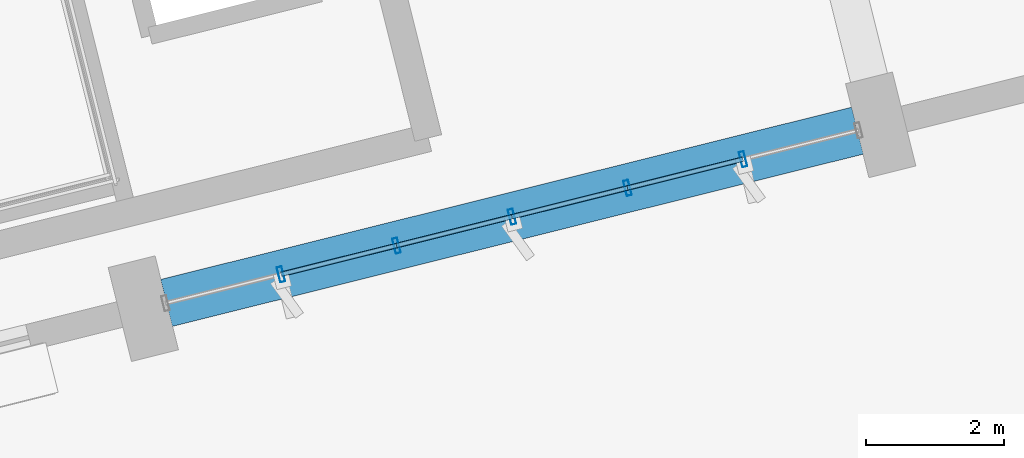
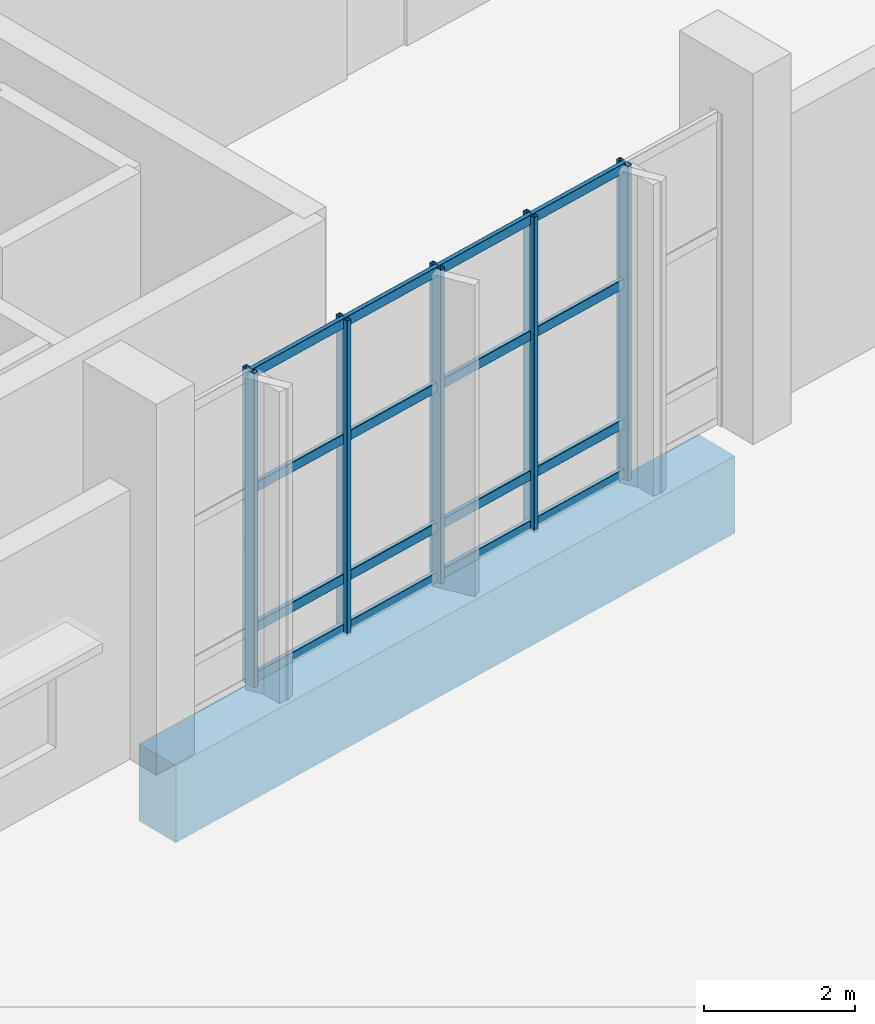
# One storey, part 87 of 163: 21 members, 1 beam, 1 element without a shape of its own.
"""IFC4 building model written with IfcOpenShell, lengths in metres."""

from ifc_helpers import new_model, si_unit, direction, frame, origin, origin_2d, place, context, subcontext, project, spatial, rectangle, hollow_rectangle, extrude, material, layer, layer_set, material_profile, profile_set, type_object, element, aggregate, save


model = new_model("IFC4")

# Units and contexts
model_context = context("Model", 3, precision=1e-05, world=origin(), true_north=direction((0.0, 1.0)))
body_context = subcontext(model_context, "Body", "Model", "MODEL_VIEW")
ifc_project = project(units=[si_unit("LENGTHUNIT", "METRE"), si_unit("AREAUNIT", "SQUARE_METRE"), si_unit("VOLUMEUNIT", "CUBIC_METRE"), si_unit("PLANEANGLEUNIT", "RADIAN"), si_unit("MASSUNIT", "GRAM", prefix="KILO")], contexts=[model_context])

# Site, building, storey
site_placement = place(None, origin())
site = spatial("IfcSite", under=ifc_project, at=site_placement, CompositionType="ELEMENT")
building_placement = place(site_placement, origin())
building = spatial("IfcBuilding", under=site, at=building_placement, Name="Khorjan Park Terminus", CompositionType="ELEMENT")
storey_placement = place(building_placement, origin())
storey = spatial("IfcBuildingStorey", under=building, at=storey_placement, Name="L00", CompositionType="ELEMENT", Elevation=0.0)

# Beam
ifc_material_1 = material(Name="Concrete C40/50", Category="concrete")
ifc_material_profile_1 = material_profile(ifc_material_1, rectangle(XDim=0.7, YDim=1.25, at=origin_2d()), Name="RC 700x1250")
ifc_profile_set_1 = profile_set([ifc_material_profile_1], Name="Concrete C40/50")
beam_type = type_object("IfcBeamType", Name="BM-RC700x1250", PredefinedType="BEAM", material=ifc_profile_set_1)
beam_placement = place(storey_placement, frame((209.0278, 12.728, -0.985), z_axis=(0.970295784153, 0.241921663468, 0.0), x_axis=(-0.241921663468, 0.970295784153, 0.0)))
element("IfcBeam", 1, at=beam_placement, inside=storey, type_object=beam_type, Name="Primary skew-grid floor girder GB-125 (L00)", PredefinedType="BEAM", context=body_context, shape_type="SweptSolid", body=[
    extrude(rectangle(XDim=0.7, YDim=1.25, at=origin_2d()), origin(), (0.0, 0.0, 1.0), 10.3099),
])

# Curtain wall, members
ifc_material_2 = material(Name="Anodized Bronze Aluminium", Category="aluminium")
ifc_layer = layer(ifc_material_2, 0.22)
ifc_layer_set = layer_set([ifc_layer], Name="Anodized Bronze Aluminium")
curtain_wall_type = type_object("IfcCurtainWallType", Name="CW-OPS-B", PredefinedType="NOTDEFINED", material=ifc_layer_set)
curtain_wall_placement = place(storey_placement, origin())
curtain_wall = element("IfcCurtainWall", 2, at=curtain_wall_placement, inside=storey, type_object=curtain_wall_type, Name="Unitized curtain wall CW-B (CW-V5-S-L00-B05)", PredefinedType="NOTDEFINED")
ifc_material_profile_2 = material_profile(ifc_material_2, hollow_rectangle(XDim=0.075, YDim=0.225, WallThickness=0.005, InnerFilletRadius=0.005, OuterFilletRadius=0.01, at=origin_2d()), Name="ALM 75x225x5")
ifc_profile_set_2 = profile_set([ifc_material_profile_2], Name="Anodized Bronze Aluminium")
member_type_1 = type_object("IfcMemberType", Name="ML-ALM-225", PredefinedType="MULLION", material=ifc_profile_set_2)
member_1_placement = place(storey_placement, frame((210.6854, 13.1414, -0.035), z_axis=(0.0, 0.0, 1.0), x_axis=(0.970298180833, 0.241912050695, 0.0)))
member_1 = element("IfcMember", 3, at=member_1_placement, type_object=member_type_1, Name="Curtain-wall mullion ML-22 (CW-V5-S-L00-B05-1)", PredefinedType="MULLION", context=body_context, shape_type="SweptSolid", body=[
    extrude(hollow_rectangle(XDim=0.075, YDim=0.225, WallThickness=0.005, InnerFilletRadius=0.005, OuterFilletRadius=0.01, at=origin_2d()), origin(), (0.0, 0.0, 1.0), 5.095),
])
member_2_placement = place(storey_placement, frame((212.3575, 13.5583, -0.035), z_axis=(0.0, 0.0, 1.0), x_axis=(0.970298180833, 0.241912050695, 0.0)))
member_2 = element("IfcMember", 4, at=member_2_placement, type_object=member_type_1, Name="Curtain-wall mullion ML-22 (CW-V5-S-L00-B05-2)", PredefinedType="MULLION", context=body_context, shape_type="SweptSolid", body=[
    extrude(hollow_rectangle(XDim=0.075, YDim=0.225, WallThickness=0.005, InnerFilletRadius=0.005, OuterFilletRadius=0.01, at=origin_2d()), origin(), (0.0, 0.0, 1.0), 5.095),
])
member_3_placement = place(storey_placement, frame((214.0296, 13.9751, -0.035), z_axis=(0.0, 0.0, 1.0), x_axis=(0.970298180833, 0.241912050695, 0.0)))
member_3 = element("IfcMember", 5, at=member_3_placement, type_object=member_type_1, Name="Curtain-wall mullion ML-22 (CW-V5-S-L00-B05-3)", PredefinedType="MULLION", context=body_context, shape_type="SweptSolid", body=[
    extrude(hollow_rectangle(XDim=0.075, YDim=0.225, WallThickness=0.005, InnerFilletRadius=0.005, OuterFilletRadius=0.01, at=origin_2d()), origin(), (0.0, 0.0, 1.0), 5.095),
])
member_4_placement = place(storey_placement, frame((215.7017, 14.392, -0.035), z_axis=(0.0, 0.0, 1.0), x_axis=(0.970298180833, 0.241912050695, 0.0)))
member_4 = element("IfcMember", 6, at=member_4_placement, type_object=member_type_1, Name="Curtain-wall mullion ML-22 (CW-V5-S-L00-B05-4)", PredefinedType="MULLION", context=body_context, shape_type="SweptSolid", body=[
    extrude(hollow_rectangle(XDim=0.075, YDim=0.225, WallThickness=0.005, InnerFilletRadius=0.005, OuterFilletRadius=0.01, at=origin_2d()), origin(), (0.0, 0.0, 1.0), 5.095),
])
member_5_placement = place(storey_placement, frame((217.3738, 14.8089, -0.035), z_axis=(0.0, 0.0, 1.0), x_axis=(0.970298180833, 0.241912050695, 0.0)))
member_5 = element("IfcMember", 7, at=member_5_placement, type_object=member_type_1, Name="Curtain-wall mullion ML-22 (CW-V5-S-L00-B05-5)", PredefinedType="MULLION", context=body_context, shape_type="SweptSolid", body=[
    extrude(hollow_rectangle(XDim=0.075, YDim=0.225, WallThickness=0.005, InnerFilletRadius=0.005, OuterFilletRadius=0.01, at=origin_2d()), origin(), (0.0, 0.0, 1.0), 5.095),
])
ifc_material_profile_3 = material_profile(ifc_material_2, hollow_rectangle(XDim=0.07, YDim=0.16, WallThickness=0.004, InnerFilletRadius=0.004, OuterFilletRadius=0.008, at=origin_2d()), Name="ALT 70x160x4")
ifc_profile_set_3 = profile_set([ifc_material_profile_3], Name="Anodized Bronze Aluminium")
member_type_2 = type_object("IfcMemberType", Name="TR-ALT-160", PredefinedType="USERDEFINED", material=ifc_profile_set_3)
member_6_placement = place(storey_placement, frame((210.6854, 13.1414, 0.04), z_axis=(0.970295910649, 0.241921156121, 0.0), x_axis=(-0.241921156121, 0.970295910649, 0.0)))
member_6 = element("IfcMember", 8, at=member_6_placement, type_object=member_type_2, Name="Curtain-wall transom TR-16 (CW-V5-S-L00-B05-1-1)", ObjectType="TRANSOM", PredefinedType="USERDEFINED", context=body_context, shape_type="SweptSolid", body=[
    extrude(hollow_rectangle(XDim=0.07, YDim=0.16, WallThickness=0.004, InnerFilletRadius=0.004, OuterFilletRadius=0.008, at=origin_2d()), origin(), (0.0, 0.0, 1.0), 1.7233),
])
member_7_placement = place(storey_placement, frame((210.6854, 13.1414, 0.85), z_axis=(0.970295910649, 0.241921156121, 0.0), x_axis=(-0.241921156121, 0.970295910649, 0.0)))
member_7 = element("IfcMember", 9, at=member_7_placement, type_object=member_type_2, Name="Curtain-wall transom TR-16 (CW-V5-S-L00-B05-1-2)", ObjectType="TRANSOM", PredefinedType="USERDEFINED", context=body_context, shape_type="SweptSolid", body=[
    extrude(hollow_rectangle(XDim=0.07, YDim=0.16, WallThickness=0.004, InnerFilletRadius=0.004, OuterFilletRadius=0.008, at=origin_2d()), origin(), (0.0, 0.0, 1.0), 1.7233),
])
member_8_placement = place(storey_placement, frame((210.6854, 13.1414, 3.1155), z_axis=(0.970295910649, 0.241921156121, 0.0), x_axis=(-0.241921156121, 0.970295910649, 0.0)))
member_8 = element("IfcMember", 10, at=member_8_placement, type_object=member_type_2, Name="Curtain-wall transom TR-16 (CW-V5-S-L00-B05-1-3)", ObjectType="TRANSOM", PredefinedType="USERDEFINED", context=body_context, shape_type="SweptSolid", body=[
    extrude(hollow_rectangle(XDim=0.07, YDim=0.16, WallThickness=0.004, InnerFilletRadius=0.004, OuterFilletRadius=0.008, at=origin_2d()), origin(), (0.0, 0.0, 1.0), 1.7233),
])
member_9_placement = place(storey_placement, frame((210.6854, 13.1414, 4.985), z_axis=(0.970295910649, 0.241921156121, 0.0), x_axis=(-0.241921156121, 0.970295910649, 0.0)))
member_9 = element("IfcMember", 11, at=member_9_placement, type_object=member_type_2, Name="Curtain-wall transom TR-16 (CW-V5-S-L00-B05-1-4)", ObjectType="TRANSOM", PredefinedType="USERDEFINED", context=body_context, shape_type="SweptSolid", body=[
    extrude(hollow_rectangle(XDim=0.07, YDim=0.16, WallThickness=0.004, InnerFilletRadius=0.004, OuterFilletRadius=0.008, at=origin_2d()), origin(), (0.0, 0.0, 1.0), 1.7233),
])
member_10_placement = place(storey_placement, frame((212.3575, 13.5583, 0.04), z_axis=(0.970309530647, 0.241866522561, 0.0), x_axis=(-0.241866522561, 0.970309530647, 0.0)))
member_10 = element("IfcMember", 12, at=member_10_placement, type_object=member_type_2, Name="Curtain-wall transom TR-16 (CW-V5-S-L00-B05-2-1)", ObjectType="TRANSOM", PredefinedType="USERDEFINED", context=body_context, shape_type="SweptSolid", body=[
    extrude(hollow_rectangle(XDim=0.07, YDim=0.16, WallThickness=0.004, InnerFilletRadius=0.004, OuterFilletRadius=0.008, at=origin_2d()), origin(), (0.0, 0.0, 1.0), 1.7233),
])
member_11_placement = place(storey_placement, frame((212.3575, 13.5583, 0.85), z_axis=(0.970309530647, 0.241866522561, 0.0), x_axis=(-0.241866522561, 0.970309530647, 0.0)))
member_11 = element("IfcMember", 13, at=member_11_placement, type_object=member_type_2, Name="Curtain-wall transom TR-16 (CW-V5-S-L00-B05-2-2)", ObjectType="TRANSOM", PredefinedType="USERDEFINED", context=body_context, shape_type="SweptSolid", body=[
    extrude(hollow_rectangle(XDim=0.07, YDim=0.16, WallThickness=0.004, InnerFilletRadius=0.004, OuterFilletRadius=0.008, at=origin_2d()), origin(), (0.0, 0.0, 1.0), 1.7233),
])
member_12_placement = place(storey_placement, frame((212.3575, 13.5583, 3.1155), z_axis=(0.970309530647, 0.241866522561, 0.0), x_axis=(-0.241866522561, 0.970309530647, 0.0)))
member_12 = element("IfcMember", 14, at=member_12_placement, type_object=member_type_2, Name="Curtain-wall transom TR-16 (CW-V5-S-L00-B05-2-3)", ObjectType="TRANSOM", PredefinedType="USERDEFINED", context=body_context, shape_type="SweptSolid", body=[
    extrude(hollow_rectangle(XDim=0.07, YDim=0.16, WallThickness=0.004, InnerFilletRadius=0.004, OuterFilletRadius=0.008, at=origin_2d()), origin(), (0.0, 0.0, 1.0), 1.7233),
])
member_13_placement = place(storey_placement, frame((212.3575, 13.5583, 4.985), z_axis=(0.970309530647, 0.241866522561, 0.0), x_axis=(-0.241866522561, 0.970309530647, 0.0)))
member_13 = element("IfcMember", 15, at=member_13_placement, type_object=member_type_2, Name="Curtain-wall transom TR-16 (CW-V5-S-L00-B05-2-4)", ObjectType="TRANSOM", PredefinedType="USERDEFINED", context=body_context, shape_type="SweptSolid", body=[
    extrude(hollow_rectangle(XDim=0.07, YDim=0.16, WallThickness=0.004, InnerFilletRadius=0.004, OuterFilletRadius=0.008, at=origin_2d()), origin(), (0.0, 0.0, 1.0), 1.7233),
])
member_14_placement = place(storey_placement, frame((214.0296, 13.9751, 0.04), z_axis=(0.970295910649, 0.241921156121, 0.0), x_axis=(-0.241921156121, 0.970295910649, 0.0)))
member_14 = element("IfcMember", 16, at=member_14_placement, type_object=member_type_2, Name="Curtain-wall transom TR-16 (CW-V5-S-L00-B05-3-1)", ObjectType="TRANSOM", PredefinedType="USERDEFINED", context=body_context, shape_type="SweptSolid", body=[
    extrude(hollow_rectangle(XDim=0.07, YDim=0.16, WallThickness=0.004, InnerFilletRadius=0.004, OuterFilletRadius=0.008, at=origin_2d()), origin(), (0.0, 0.0, 1.0), 1.7233),
])
member_15_placement = place(storey_placement, frame((214.0296, 13.9751, 0.85), z_axis=(0.970295910649, 0.241921156121, 0.0), x_axis=(-0.241921156121, 0.970295910649, 0.0)))
member_15 = element("IfcMember", 17, at=member_15_placement, type_object=member_type_2, Name="Curtain-wall transom TR-16 (CW-V5-S-L00-B05-3-2)", ObjectType="TRANSOM", PredefinedType="USERDEFINED", context=body_context, shape_type="SweptSolid", body=[
    extrude(hollow_rectangle(XDim=0.07, YDim=0.16, WallThickness=0.004, InnerFilletRadius=0.004, OuterFilletRadius=0.008, at=origin_2d()), origin(), (0.0, 0.0, 1.0), 1.7233),
])
member_16_placement = place(storey_placement, frame((214.0296, 13.9751, 3.1155), z_axis=(0.970295910649, 0.241921156121, 0.0), x_axis=(-0.241921156121, 0.970295910649, 0.0)))
member_16 = element("IfcMember", 18, at=member_16_placement, type_object=member_type_2, Name="Curtain-wall transom TR-16 (CW-V5-S-L00-B05-3-3)", ObjectType="TRANSOM", PredefinedType="USERDEFINED", context=body_context, shape_type="SweptSolid", body=[
    extrude(hollow_rectangle(XDim=0.07, YDim=0.16, WallThickness=0.004, InnerFilletRadius=0.004, OuterFilletRadius=0.008, at=origin_2d()), origin(), (0.0, 0.0, 1.0), 1.7233),
])
member_17_placement = place(storey_placement, frame((214.0296, 13.9751, 4.985), z_axis=(0.970295910649, 0.241921156121, 0.0), x_axis=(-0.241921156121, 0.970295910649, 0.0)))
member_17 = element("IfcMember", 19, at=member_17_placement, type_object=member_type_2, Name="Curtain-wall transom TR-16 (CW-V5-S-L00-B05-3-4)", ObjectType="TRANSOM", PredefinedType="USERDEFINED", context=body_context, shape_type="SweptSolid", body=[
    extrude(hollow_rectangle(XDim=0.07, YDim=0.16, WallThickness=0.004, InnerFilletRadius=0.004, OuterFilletRadius=0.008, at=origin_2d()), origin(), (0.0, 0.0, 1.0), 1.7233),
])
member_18_placement = place(storey_placement, frame((215.7017, 14.392, 0.04), z_axis=(0.970295910649, 0.241921156121, 0.0), x_axis=(-0.241921156121, 0.970295910649, 0.0)))
member_18 = element("IfcMember", 20, at=member_18_placement, type_object=member_type_2, Name="Curtain-wall transom TR-16 (CW-V5-S-L00-B05-4-1)", ObjectType="TRANSOM", PredefinedType="USERDEFINED", context=body_context, shape_type="SweptSolid", body=[
    extrude(hollow_rectangle(XDim=0.07, YDim=0.16, WallThickness=0.004, InnerFilletRadius=0.004, OuterFilletRadius=0.008, at=origin_2d()), origin(), (0.0, 0.0, 1.0), 1.7233),
])
member_19_placement = place(storey_placement, frame((215.7017, 14.392, 0.85), z_axis=(0.970295910649, 0.241921156121, 0.0), x_axis=(-0.241921156121, 0.970295910649, 0.0)))
member_19 = element("IfcMember", 21, at=member_19_placement, type_object=member_type_2, Name="Curtain-wall transom TR-16 (CW-V5-S-L00-B05-4-2)", ObjectType="TRANSOM", PredefinedType="USERDEFINED", context=body_context, shape_type="SweptSolid", body=[
    extrude(hollow_rectangle(XDim=0.07, YDim=0.16, WallThickness=0.004, InnerFilletRadius=0.004, OuterFilletRadius=0.008, at=origin_2d()), origin(), (0.0, 0.0, 1.0), 1.7233),
])
member_20_placement = place(storey_placement, frame((215.7017, 14.392, 3.1155), z_axis=(0.970295910649, 0.241921156121, 0.0), x_axis=(-0.241921156121, 0.970295910649, 0.0)))
member_20 = element("IfcMember", 22, at=member_20_placement, type_object=member_type_2, Name="Curtain-wall transom TR-16 (CW-V5-S-L00-B05-4-3)", ObjectType="TRANSOM", PredefinedType="USERDEFINED", context=body_context, shape_type="SweptSolid", body=[
    extrude(hollow_rectangle(XDim=0.07, YDim=0.16, WallThickness=0.004, InnerFilletRadius=0.004, OuterFilletRadius=0.008, at=origin_2d()), origin(), (0.0, 0.0, 1.0), 1.7233),
])
member_21_placement = place(storey_placement, frame((215.7017, 14.392, 4.985), z_axis=(0.970295910649, 0.241921156121, 0.0), x_axis=(-0.241921156121, 0.970295910649, 0.0)))
member_21 = element("IfcMember", 23, at=member_21_placement, type_object=member_type_2, Name="Curtain-wall transom TR-16 (CW-V5-S-L00-B05-4-4)", ObjectType="TRANSOM", PredefinedType="USERDEFINED", context=body_context, shape_type="SweptSolid", body=[
    extrude(hollow_rectangle(XDim=0.07, YDim=0.16, WallThickness=0.004, InnerFilletRadius=0.004, OuterFilletRadius=0.008, at=origin_2d()), origin(), (0.0, 0.0, 1.0), 1.7233),
])
aggregate(curtain_wall, [member_1, member_2, member_3, member_4, member_5, member_6, member_7, member_8, member_9, member_10, member_11, member_12, member_13, member_14, member_15, member_16, member_17, member_18, member_19, member_20, member_21])

save(model, "model.ifc")
